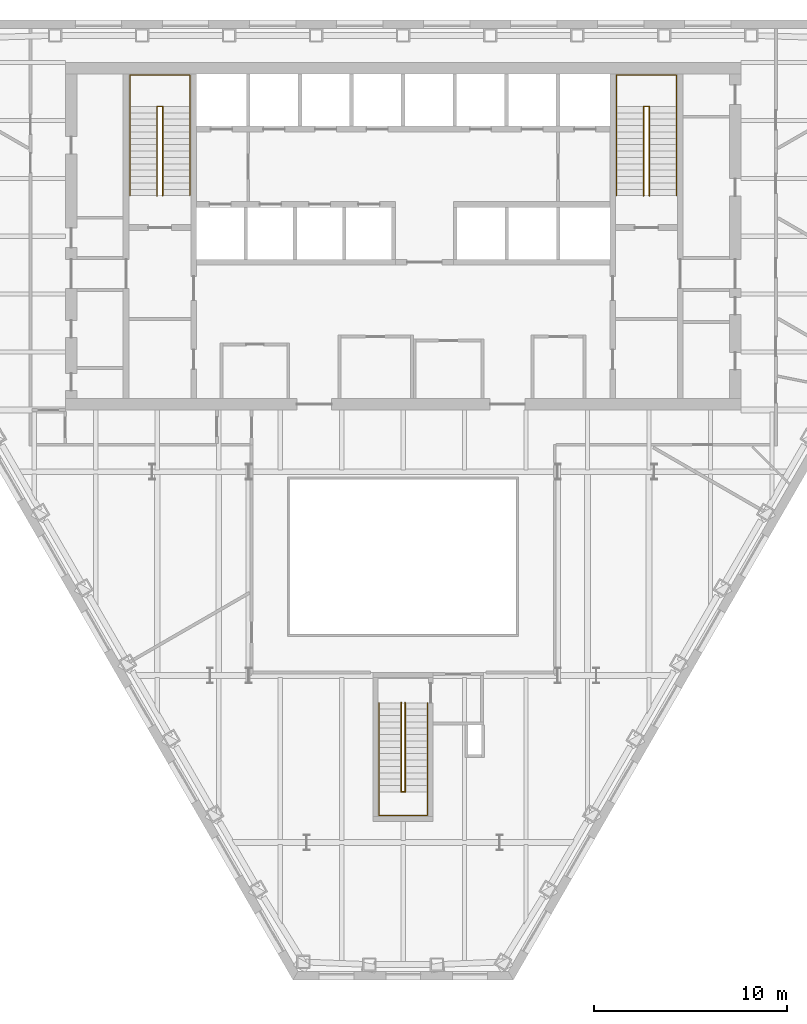
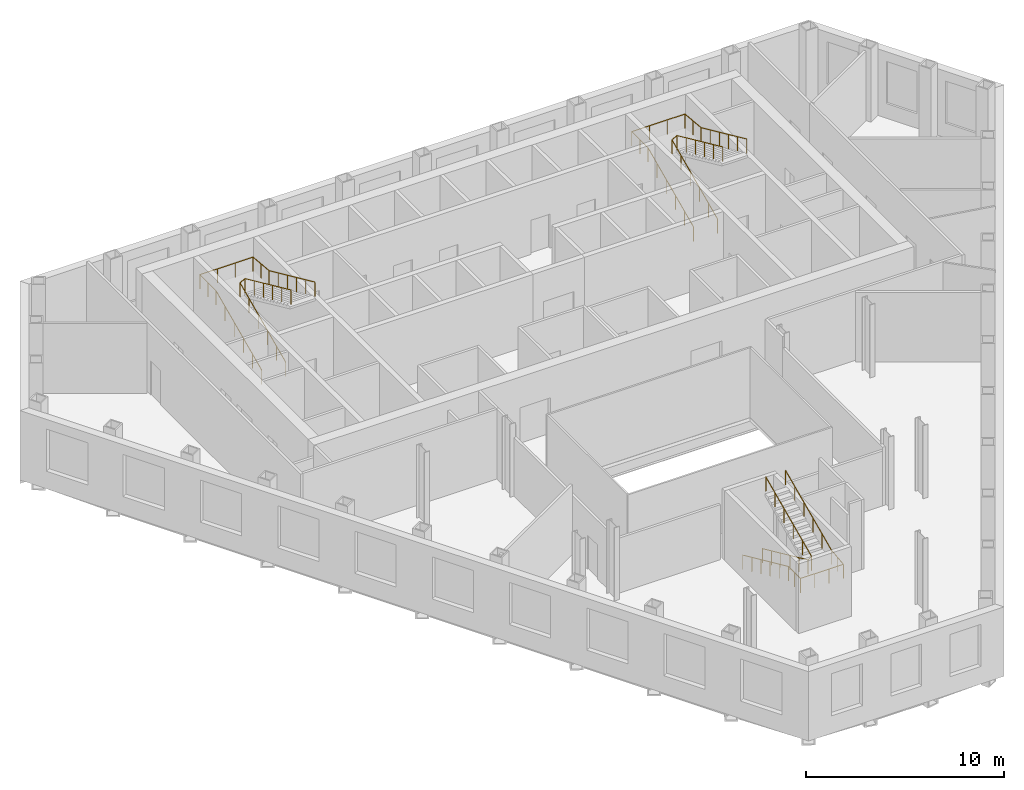
# One storey, part 11 of 11: 6 railings.
"""IFC4 building model written with IfcOpenShell, lengths in metres."""

from ifc_helpers import new_model, si_unit, direction, frame, origin, origin_2d, place, context, subcontext, project, spatial, circle, extrude, material, type_object, element, save


model = new_model("IFC4")

# Units and contexts
model_context = context("Model", 3, precision=1e-05, world=origin(), true_north=direction((0.0, 1.0)))
body_context = subcontext(model_context, "Body", "Model", "MODEL_VIEW")
ifc_project = project(units=[si_unit("LENGTHUNIT", "METRE"), si_unit("AREAUNIT", "SQUARE_METRE"), si_unit("VOLUMEUNIT", "CUBIC_METRE"), si_unit("PLANEANGLEUNIT", "RADIAN"), si_unit("MASSUNIT", "GRAM", prefix="KILO")], contexts=[model_context])

# Site, building, storey
site_placement = place(None, origin())
site = spatial("IfcSite", under=ifc_project, at=site_placement, CompositionType="ELEMENT")
building_placement = place(site_placement, origin())
building = spatial("IfcBuilding", under=site, at=building_placement, Name="Njiva Tower", CompositionType="ELEMENT")
storey_placement = place(building_placement, frame((0.0, 0.0, 46.8)))
storey = spatial("IfcBuildingStorey", under=building, at=storey_placement, Name="L09", CompositionType="ELEMENT", Elevation=46.8)

# Railings
ifc_material = material(Name="Stainless steel", Category="steel")
railing_type = type_object("IfcRailingType", Name="RL1 Stair handrail 900", PredefinedType="HANDRAIL", material=ifc_material)
railing_1_placement = place(storey_placement, frame((-14.15, 11.1, 0.15)))
element("IfcRailing", 1, at=railing_1_placement, inside=storey, type_object=railing_type, Name="Stair A handrail", PredefinedType="HANDRAIL", context=body_context, shape_type="SweptSolid", body=[
    extrude(circle(Radius=0.024, at=origin_2d()), frame((0.0, 0.0, 0.876), z_axis=(0.0, 0.910366477463, 0.413802944301), x_axis=(-1.0, 0.0, 0.0)), (0.0, 0.0, 1.0), 5.0749),
    extrude(circle(Radius=0.024, at=origin_2d()), frame((0.0, 4.62, 2.976), z_axis=(0.0, 1.0, 0.0), x_axis=(-1.0, 0.0, 0.0)), (0.0, 0.0, 1.0), 1.63),
    extrude(circle(Radius=0.024, at=origin_2d()), frame((0.0, 6.25, 2.976), z_axis=(1.0, 0.0, 0.0), x_axis=(0.0, 1.0, 0.0)), (0.0, 0.0, 1.0), 3.1),
    extrude(circle(Radius=0.024, at=origin_2d()), frame((3.1, 6.25, 2.976), z_axis=(0.0, -0.995792447047, 0.091637341753), x_axis=(1.0, 0.0, 0.0)), (0.0, 0.0, 1.0), 1.6369),
    extrude(circle(Radius=0.024, at=origin_2d()), frame((3.1, 4.62, 3.126), z_axis=(0.0, -0.910366477463, 0.413802944301), x_axis=(1.0, 0.0, 0.0)), (0.0, 0.0, 1.0), 5.0749),
    extrude(circle(Radius=0.021, at=origin_2d()), origin(), (0.0, 0.0, 1.0), 0.852),
    extrude(circle(Radius=0.021, at=origin_2d()), frame((0.0, 0.924, 0.42)), (0.0, 0.0, 1.0), 0.852),
    extrude(circle(Radius=0.021, at=origin_2d()), frame((0.0, 1.848, 0.84)), (0.0, 0.0, 1.0), 0.852),
    extrude(circle(Radius=0.021, at=origin_2d()), frame((0.0, 2.772, 1.26)), (0.0, 0.0, 1.0), 0.852),
    extrude(circle(Radius=0.021, at=origin_2d()), frame((0.0, 3.696, 1.68)), (0.0, 0.0, 1.0), 0.852),
    extrude(circle(Radius=0.021, at=origin_2d()), frame((0.0, 4.62, 2.1)), (0.0, 0.0, 1.0), 0.852),
    extrude(circle(Radius=0.021, at=origin_2d()), frame((0.0, 5.435, 2.1)), (0.0, 0.0, 1.0), 0.852),
    extrude(circle(Radius=0.021, at=origin_2d()), frame((0.0, 6.25, 2.1)), (0.0, 0.0, 1.0), 0.852),
    extrude(circle(Radius=0.021, at=origin_2d()), frame((1.0333, 6.25, 2.1)), (0.0, 0.0, 1.0), 0.852),
    extrude(circle(Radius=0.021, at=origin_2d()), frame((2.0667, 6.25, 2.1)), (0.0, 0.0, 1.0), 0.852),
    extrude(circle(Radius=0.021, at=origin_2d()), frame((3.1, 6.25, 2.1)), (0.0, 0.0, 1.0), 0.852),
    extrude(circle(Radius=0.021, at=origin_2d()), frame((3.1, 5.435, 2.175)), (0.0, 0.0, 1.0), 0.852),
    extrude(circle(Radius=0.021, at=origin_2d()), frame((3.1, 4.62, 2.25)), (0.0, 0.0, 1.0), 0.852),
    extrude(circle(Radius=0.021, at=origin_2d()), frame((3.1, 3.696, 2.67)), (0.0, 0.0, 1.0), 0.852),
    extrude(circle(Radius=0.021, at=origin_2d()), frame((3.1, 2.772, 3.09)), (0.0, 0.0, 1.0), 0.852),
    extrude(circle(Radius=0.021, at=origin_2d()), frame((3.1, 1.848, 3.51)), (0.0, 0.0, 1.0), 0.852),
    extrude(circle(Radius=0.021, at=origin_2d()), frame((3.1, 0.924, 3.93)), (0.0, 0.0, 1.0), 0.852),
    extrude(circle(Radius=0.021, at=origin_2d()), frame((3.1, 0.0, 4.35)), (0.0, 0.0, 1.0), 0.852),
])
railing_2_placement = place(storey_placement, frame((-12.75, 11.1, 0.15)))
element("IfcRailing", 2, at=railing_2_placement, inside=storey, type_object=railing_type, Name="Stair A handrail", PredefinedType="HANDRAIL", context=body_context, shape_type="SweptSolid", body=[
    extrude(circle(Radius=0.024, at=origin_2d()), frame((0.0, 0.0, 0.876), z_axis=(0.0, 0.910366477463, 0.413802944301), x_axis=(-1.0, 0.0, 0.0)), (0.0, 0.0, 1.0), 5.0749),
    extrude(circle(Radius=0.024, at=origin_2d()), frame((0.0, 4.62, 2.976), z_axis=(0.894427191, 0.0, 0.4472135955), x_axis=(0.0, 1.0, 0.0)), (0.0, 0.0, 1.0), 0.3354),
    extrude(circle(Radius=0.024, at=origin_2d()), frame((0.3, 4.62, 3.126), z_axis=(0.0, -0.910366477463, 0.413802944301), x_axis=(1.0, 0.0, 0.0)), (0.0, 0.0, 1.0), 5.0749),
    extrude(circle(Radius=0.021, at=origin_2d()), origin(), (0.0, 0.0, 1.0), 0.852),
    extrude(circle(Radius=0.021, at=origin_2d()), frame((0.0, 0.924, 0.42)), (0.0, 0.0, 1.0), 0.852),
    extrude(circle(Radius=0.021, at=origin_2d()), frame((0.0, 1.848, 0.84)), (0.0, 0.0, 1.0), 0.852),
    extrude(circle(Radius=0.021, at=origin_2d()), frame((0.0, 2.772, 1.26)), (0.0, 0.0, 1.0), 0.852),
    extrude(circle(Radius=0.021, at=origin_2d()), frame((0.0, 3.696, 1.68)), (0.0, 0.0, 1.0), 0.852),
    extrude(circle(Radius=0.021, at=origin_2d()), frame((0.0, 4.62, 2.1)), (0.0, 0.0, 1.0), 0.852),
    extrude(circle(Radius=0.021, at=origin_2d()), frame((0.3, 4.62, 2.25)), (0.0, 0.0, 1.0), 0.852),
    extrude(circle(Radius=0.021, at=origin_2d()), frame((0.3, 3.696, 2.67)), (0.0, 0.0, 1.0), 0.852),
    extrude(circle(Radius=0.021, at=origin_2d()), frame((0.3, 2.772, 3.09)), (0.0, 0.0, 1.0), 0.852),
    extrude(circle(Radius=0.021, at=origin_2d()), frame((0.3, 1.848, 3.51)), (0.0, 0.0, 1.0), 0.852),
    extrude(circle(Radius=0.021, at=origin_2d()), frame((0.3, 0.924, 3.93)), (0.0, 0.0, 1.0), 0.852),
    extrude(circle(Radius=0.021, at=origin_2d()), frame((0.3, 0.0, 4.35)), (0.0, 0.0, 1.0), 0.852),
])
railing_3_placement = place(storey_placement, frame((11.05, 11.1, 0.15)))
element("IfcRailing", 3, at=railing_3_placement, inside=storey, type_object=railing_type, Name="Stair B handrail", PredefinedType="HANDRAIL", context=body_context, shape_type="SweptSolid", body=[
    extrude(circle(Radius=0.024, at=origin_2d()), frame((0.0, 0.0, 0.876), z_axis=(0.0, 0.910366477463, 0.413802944301), x_axis=(-1.0, 0.0, 0.0)), (0.0, 0.0, 1.0), 5.0749),
    extrude(circle(Radius=0.024, at=origin_2d()), frame((0.0, 4.62, 2.976), z_axis=(0.0, 1.0, 0.0), x_axis=(-1.0, 0.0, 0.0)), (0.0, 0.0, 1.0), 1.63),
    extrude(circle(Radius=0.024, at=origin_2d()), frame((0.0, 6.25, 2.976), z_axis=(1.0, 0.0, 0.0), x_axis=(0.0, 1.0, 0.0)), (0.0, 0.0, 1.0), 3.1),
    extrude(circle(Radius=0.024, at=origin_2d()), frame((3.1, 6.25, 2.976), z_axis=(0.0, -0.995792447047, 0.091637341753), x_axis=(1.0, 0.0, 0.0)), (0.0, 0.0, 1.0), 1.6369),
    extrude(circle(Radius=0.024, at=origin_2d()), frame((3.1, 4.62, 3.126), z_axis=(0.0, -0.910366477463, 0.413802944301), x_axis=(1.0, 0.0, 0.0)), (0.0, 0.0, 1.0), 5.0749),
    extrude(circle(Radius=0.021, at=origin_2d()), origin(), (0.0, 0.0, 1.0), 0.852),
    extrude(circle(Radius=0.021, at=origin_2d()), frame((0.0, 0.924, 0.42)), (0.0, 0.0, 1.0), 0.852),
    extrude(circle(Radius=0.021, at=origin_2d()), frame((0.0, 1.848, 0.84)), (0.0, 0.0, 1.0), 0.852),
    extrude(circle(Radius=0.021, at=origin_2d()), frame((0.0, 2.772, 1.26)), (0.0, 0.0, 1.0), 0.852),
    extrude(circle(Radius=0.021, at=origin_2d()), frame((0.0, 3.696, 1.68)), (0.0, 0.0, 1.0), 0.852),
    extrude(circle(Radius=0.021, at=origin_2d()), frame((0.0, 4.62, 2.1)), (0.0, 0.0, 1.0), 0.852),
    extrude(circle(Radius=0.021, at=origin_2d()), frame((0.0, 5.435, 2.1)), (0.0, 0.0, 1.0), 0.852),
    extrude(circle(Radius=0.021, at=origin_2d()), frame((0.0, 6.25, 2.1)), (0.0, 0.0, 1.0), 0.852),
    extrude(circle(Radius=0.021, at=origin_2d()), frame((1.0333, 6.25, 2.1)), (0.0, 0.0, 1.0), 0.852),
    extrude(circle(Radius=0.021, at=origin_2d()), frame((2.0667, 6.25, 2.1)), (0.0, 0.0, 1.0), 0.852),
    extrude(circle(Radius=0.021, at=origin_2d()), frame((3.1, 6.25, 2.1)), (0.0, 0.0, 1.0), 0.852),
    extrude(circle(Radius=0.021, at=origin_2d()), frame((3.1, 5.435, 2.175)), (0.0, 0.0, 1.0), 0.852),
    extrude(circle(Radius=0.021, at=origin_2d()), frame((3.1, 4.62, 2.25)), (0.0, 0.0, 1.0), 0.852),
    extrude(circle(Radius=0.021, at=origin_2d()), frame((3.1, 3.696, 2.67)), (0.0, 0.0, 1.0), 0.852),
    extrude(circle(Radius=0.021, at=origin_2d()), frame((3.1, 2.772, 3.09)), (0.0, 0.0, 1.0), 0.852),
    extrude(circle(Radius=0.021, at=origin_2d()), frame((3.1, 1.848, 3.51)), (0.0, 0.0, 1.0), 0.852),
    extrude(circle(Radius=0.021, at=origin_2d()), frame((3.1, 0.924, 3.93)), (0.0, 0.0, 1.0), 0.852),
    extrude(circle(Radius=0.021, at=origin_2d()), frame((3.1, 0.0, 4.35)), (0.0, 0.0, 1.0), 0.852),
])
railing_4_placement = place(storey_placement, frame((12.45, 11.1, 0.15)))
element("IfcRailing", 4, at=railing_4_placement, inside=storey, type_object=railing_type, Name="Stair B handrail", PredefinedType="HANDRAIL", context=body_context, shape_type="SweptSolid", body=[
    extrude(circle(Radius=0.024, at=origin_2d()), frame((0.0, 0.0, 0.876), z_axis=(0.0, 0.910366477463, 0.413802944301), x_axis=(-1.0, 0.0, 0.0)), (0.0, 0.0, 1.0), 5.0749),
    extrude(circle(Radius=0.024, at=origin_2d()), frame((0.0, 4.62, 2.976), z_axis=(0.894427191, 0.0, 0.4472135955), x_axis=(0.0, 1.0, 0.0)), (0.0, 0.0, 1.0), 0.3354),
    extrude(circle(Radius=0.024, at=origin_2d()), frame((0.3, 4.62, 3.126), z_axis=(0.0, -0.910366477463, 0.413802944301), x_axis=(1.0, 0.0, 0.0)), (0.0, 0.0, 1.0), 5.0749),
    extrude(circle(Radius=0.021, at=origin_2d()), origin(), (0.0, 0.0, 1.0), 0.852),
    extrude(circle(Radius=0.021, at=origin_2d()), frame((0.0, 0.924, 0.42)), (0.0, 0.0, 1.0), 0.852),
    extrude(circle(Radius=0.021, at=origin_2d()), frame((0.0, 1.848, 0.84)), (0.0, 0.0, 1.0), 0.852),
    extrude(circle(Radius=0.021, at=origin_2d()), frame((0.0, 2.772, 1.26)), (0.0, 0.0, 1.0), 0.852),
    extrude(circle(Radius=0.021, at=origin_2d()), frame((0.0, 3.696, 1.68)), (0.0, 0.0, 1.0), 0.852),
    extrude(circle(Radius=0.021, at=origin_2d()), frame((0.0, 4.62, 2.1)), (0.0, 0.0, 1.0), 0.852),
    extrude(circle(Radius=0.021, at=origin_2d()), frame((0.3, 4.62, 2.25)), (0.0, 0.0, 1.0), 0.852),
    extrude(circle(Radius=0.021, at=origin_2d()), frame((0.3, 3.696, 2.67)), (0.0, 0.0, 1.0), 0.852),
    extrude(circle(Radius=0.021, at=origin_2d()), frame((0.3, 2.772, 3.09)), (0.0, 0.0, 1.0), 0.852),
    extrude(circle(Radius=0.021, at=origin_2d()), frame((0.3, 1.848, 3.51)), (0.0, 0.0, 1.0), 0.852),
    extrude(circle(Radius=0.021, at=origin_2d()), frame((0.3, 0.924, 3.93)), (0.0, 0.0, 1.0), 0.852),
    extrude(circle(Radius=0.021, at=origin_2d()), frame((0.3, 0.0, 4.35)), (0.0, 0.0, 1.0), 0.852),
])
railing_5_placement = place(storey_placement, frame((-1.25, -15.16, 0.15)))
element("IfcRailing", 5, at=railing_5_placement, inside=storey, type_object=railing_type, Name="Stair C handrail", PredefinedType="HANDRAIL", context=body_context, shape_type="SweptSolid", body=[
    extrude(circle(Radius=0.024, at=origin_2d()), frame((0.0, 0.0, 0.876), z_axis=(0.0, -0.910366477463, 0.413802944301), x_axis=(1.0, 0.0, 0.0)), (0.0, 0.0, 1.0), 5.0749),
    extrude(circle(Radius=0.024, at=origin_2d()), frame((0.0, -4.62, 2.976), z_axis=(0.0, -1.0, 0.0), x_axis=(1.0, 0.0, 0.0)), (0.0, 0.0, 1.0), 1.22),
    extrude(circle(Radius=0.024, at=origin_2d()), frame((0.0, -5.84, 2.976), z_axis=(1.0, 0.0, 0.0), x_axis=(0.0, 1.0, 0.0)), (0.0, 0.0, 1.0), 2.5),
    extrude(circle(Radius=0.024, at=origin_2d()), frame((2.5, -5.84, 2.976), z_axis=(0.0, 0.992526177815, 0.122031907108), x_axis=(-1.0, 0.0, 0.0)), (0.0, 0.0, 1.0), 1.2292),
    extrude(circle(Radius=0.024, at=origin_2d()), frame((2.5, -4.62, 3.126), z_axis=(0.0, 0.910366477463, 0.413802944301), x_axis=(-1.0, 0.0, 0.0)), (0.0, 0.0, 1.0), 5.0749),
    extrude(circle(Radius=0.021, at=origin_2d()), origin(), (0.0, 0.0, 1.0), 0.852),
    extrude(circle(Radius=0.021, at=origin_2d()), frame((0.0, -0.924, 0.42)), (0.0, 0.0, 1.0), 0.852),
    extrude(circle(Radius=0.021, at=origin_2d()), frame((0.0, -1.848, 0.84)), (0.0, 0.0, 1.0), 0.852),
    extrude(circle(Radius=0.021, at=origin_2d()), frame((0.0, -2.772, 1.26)), (0.0, 0.0, 1.0), 0.852),
    extrude(circle(Radius=0.021, at=origin_2d()), frame((0.0, -3.696, 1.68)), (0.0, 0.0, 1.0), 0.852),
    extrude(circle(Radius=0.021, at=origin_2d()), frame((0.0, -4.62, 2.1)), (0.0, 0.0, 1.0), 0.852),
    extrude(circle(Radius=0.021, at=origin_2d()), frame((0.0, -5.23, 2.1)), (0.0, 0.0, 1.0), 0.852),
    extrude(circle(Radius=0.021, at=origin_2d()), frame((0.0, -5.84, 2.1)), (0.0, 0.0, 1.0), 0.852),
    extrude(circle(Radius=0.021, at=origin_2d()), frame((0.8333, -5.84, 2.1)), (0.0, 0.0, 1.0), 0.852),
    extrude(circle(Radius=0.021, at=origin_2d()), frame((1.6667, -5.84, 2.1)), (0.0, 0.0, 1.0), 0.852),
    extrude(circle(Radius=0.021, at=origin_2d()), frame((2.5, -5.84, 2.1)), (0.0, 0.0, 1.0), 0.852),
    extrude(circle(Radius=0.021, at=origin_2d()), frame((2.5, -5.23, 2.175)), (0.0, 0.0, 1.0), 0.852),
    extrude(circle(Radius=0.021, at=origin_2d()), frame((2.5, -4.62, 2.25)), (0.0, 0.0, 1.0), 0.852),
    extrude(circle(Radius=0.021, at=origin_2d()), frame((2.5, -3.696, 2.67)), (0.0, 0.0, 1.0), 0.852),
    extrude(circle(Radius=0.021, at=origin_2d()), frame((2.5, -2.772, 3.09)), (0.0, 0.0, 1.0), 0.852),
    extrude(circle(Radius=0.021, at=origin_2d()), frame((2.5, -1.848, 3.51)), (0.0, 0.0, 1.0), 0.852),
    extrude(circle(Radius=0.021, at=origin_2d()), frame((2.5, -0.924, 3.93)), (0.0, 0.0, 1.0), 0.852),
    extrude(circle(Radius=0.021, at=origin_2d()), frame((2.5, 0.0, 4.35)), (0.0, 0.0, 1.0), 0.852),
])
railing_6_placement = place(storey_placement, frame((-0.1, -15.16, 0.15)))
element("IfcRailing", 6, at=railing_6_placement, inside=storey, type_object=railing_type, Name="Stair C handrail", PredefinedType="HANDRAIL", context=body_context, shape_type="SweptSolid", body=[
    extrude(circle(Radius=0.024, at=origin_2d()), frame((0.0, 0.0, 0.876), z_axis=(0.0, -0.910366477463, 0.413802944301), x_axis=(1.0, 0.0, 0.0)), (0.0, 0.0, 1.0), 5.0749),
    extrude(circle(Radius=0.024, at=origin_2d()), frame((0.0, -4.62, 2.976), z_axis=(0.8, 0.0, 0.6), x_axis=(0.0, 1.0, 0.0)), (0.0, 0.0, 1.0), 0.25),
    extrude(circle(Radius=0.024, at=origin_2d()), frame((0.2, -4.62, 3.126), z_axis=(0.0, 0.910366477463, 0.413802944301), x_axis=(-1.0, 0.0, 0.0)), (0.0, 0.0, 1.0), 5.0749),
    extrude(circle(Radius=0.021, at=origin_2d()), origin(), (0.0, 0.0, 1.0), 0.852),
    extrude(circle(Radius=0.021, at=origin_2d()), frame((0.0, -0.924, 0.42)), (0.0, 0.0, 1.0), 0.852),
    extrude(circle(Radius=0.021, at=origin_2d()), frame((0.0, -1.848, 0.84)), (0.0, 0.0, 1.0), 0.852),
    extrude(circle(Radius=0.021, at=origin_2d()), frame((0.0, -2.772, 1.26)), (0.0, 0.0, 1.0), 0.852),
    extrude(circle(Radius=0.021, at=origin_2d()), frame((0.0, -3.696, 1.68)), (0.0, 0.0, 1.0), 0.852),
    extrude(circle(Radius=0.021, at=origin_2d()), frame((0.0, -4.62, 2.1)), (0.0, 0.0, 1.0), 0.852),
    extrude(circle(Radius=0.021, at=origin_2d()), frame((0.2, -4.62, 2.25)), (0.0, 0.0, 1.0), 0.852),
    extrude(circle(Radius=0.021, at=origin_2d()), frame((0.2, -3.696, 2.67)), (0.0, 0.0, 1.0), 0.852),
    extrude(circle(Radius=0.021, at=origin_2d()), frame((0.2, -2.772, 3.09)), (0.0, 0.0, 1.0), 0.852),
    extrude(circle(Radius=0.021, at=origin_2d()), frame((0.2, -1.848, 3.51)), (0.0, 0.0, 1.0), 0.852),
    extrude(circle(Radius=0.021, at=origin_2d()), frame((0.2, -0.924, 3.93)), (0.0, 0.0, 1.0), 0.852),
    extrude(circle(Radius=0.021, at=origin_2d()), frame((0.2, 0.0, 4.35)), (0.0, 0.0, 1.0), 0.852),
])

save(model, "model.ifc")
